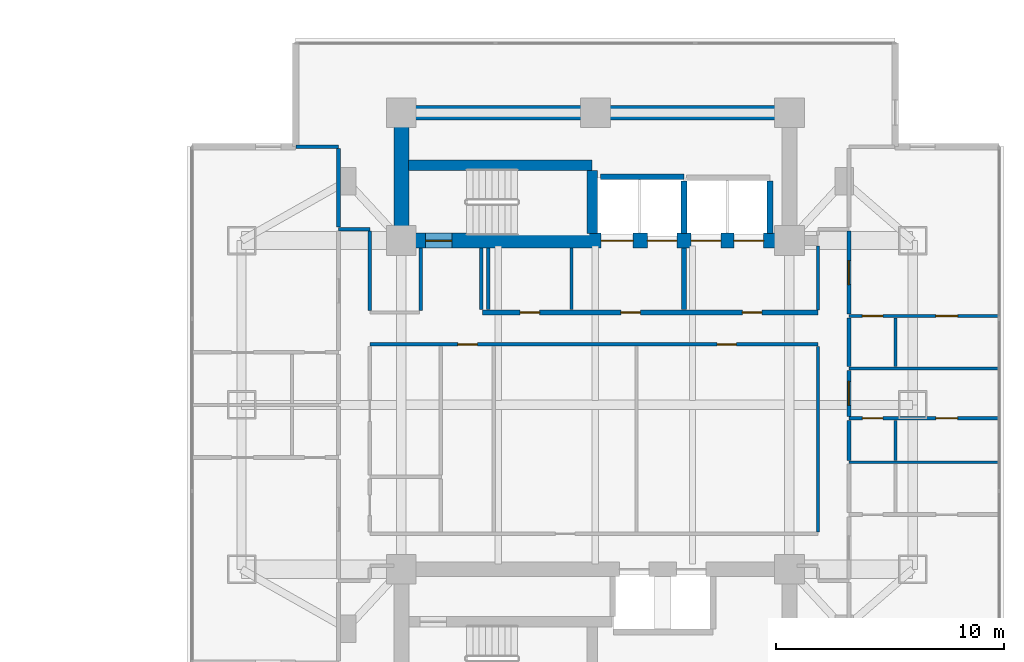
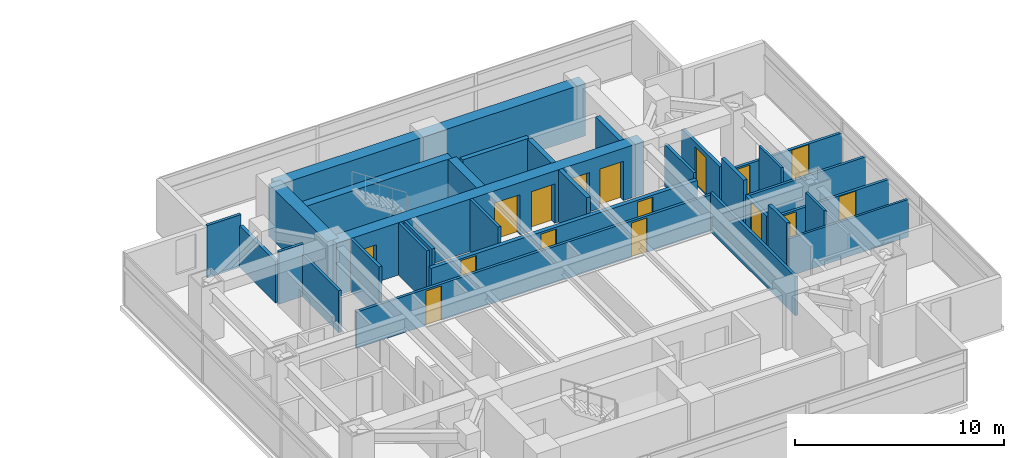
# One storey, part 18 of 27: 31 walls, 16 doors, 16 openings.
"""IFC4 building model written with IfcOpenShell, lengths in metres."""

from ifc_helpers import new_model, si_unit, direction, frame, frame_2d, origin, place, context, subcontext, project, spatial, rectangle, extrude, material, layer, layer_set, type_object, element, fill, save


model = new_model("IFC4")

# Units and contexts
model_context = context("Model", 3, precision=1e-05, world=origin(), true_north=direction((0.0, 1.0)))
body_context = subcontext(model_context, "Body", "Model", "MODEL_VIEW")
ifc_project = project(units=[si_unit("LENGTHUNIT", "METRE"), si_unit("AREAUNIT", "SQUARE_METRE"), si_unit("VOLUMEUNIT", "CUBIC_METRE"), si_unit("PLANEANGLEUNIT", "RADIAN"), si_unit("MASSUNIT", "GRAM", prefix="KILO")], contexts=[model_context])

# Site, building, storey
site_placement = place(None, origin())
site = spatial("IfcSite", under=ifc_project, at=site_placement, CompositionType="ELEMENT")
building_placement = place(site_placement, origin())
building = spatial("IfcBuilding", under=site, at=building_placement, Name="Mirazonda Arch Towers", CompositionType="ELEMENT")
storey_placement = place(building_placement, frame((0.0, 0.0, 55.39990234375)))
storey = spatial("IfcBuildingStorey", under=building, at=storey_placement, Name="L15", CompositionType="ELEMENT", Elevation=55.39990234375)

# Walls
ifc_material_1 = material(Name="Concrete C50/60", Category="concrete")
ifc_layer_1 = layer(ifc_material_1, 0.449951171875, Name="WALL-CORE-450")
ifc_layer_set_1 = layer_set([ifc_layer_1], Name="Concrete C50/60")
wall_type_1 = type_object("IfcWallType", Name="WALL-CORE-450", PredefinedType="SHEAR", material=ifc_layer_set_1)
wall_1_placement = place(storey_placement, frame((68.320068359375, 38.5, 0.0), z_axis=(0.0, 0.0, 1.0), x_axis=(1.0, 0.0, 0.0)))
element("IfcWall", 1, at=wall_1_placement, inside=storey, type_object=wall_type_1, Name="L15 Stair Core Shear Wall 056", PredefinedType="SHEAR", context=body_context, shape_type="SweptSolid", body=[
    extrude(rectangle(XDim=8.0400390625, YDim=0.449951171875, at=frame_2d((4.02001953125, 0.0))), origin(), (0.0, 0.0, 1.0), 3.06005859375),
])
wall_2_placement = place(storey_placement, frame((76.360107421875, 35.52001953125, 0.0), z_axis=(0.0, 0.0, 1.0), x_axis=(0.0, 1.0, 0.0)))
element("IfcWall", 2, at=wall_2_placement, inside=storey, type_object=wall_type_1, Name="L15 Stair Core Shear Wall 145", PredefinedType="SHEAR", context=body_context, shape_type="SweptSolid", body=[
    extrude(rectangle(XDim=2.744873046875, YDim=0.449951171875, at=frame_2d((1.37255859375, 0.0))), origin(), (0.0, 0.0, 1.0), 3.06005859375),
])
ifc_material_2 = material(Name="Concrete C60/75", Category="concrete")
ifc_layer_2 = layer(ifc_material_2, 0.64990234375, Name="WALL-CORE-650")
ifc_layer_set_2 = layer_set([ifc_layer_2], Name="Concrete C60/75")
wall_type_2 = type_object("IfcWallType", Name="WALL-CORE-650", PredefinedType="SHEAR", material=ifc_layer_set_2)
wall_3_placement = place(storey_placement, frame((68.0, 40.800048828125, 0.0), z_axis=(0.0, 0.0, 1.0), x_axis=(1.0, 0.0, 0.0)))
element("IfcWall", 3, at=wall_3_placement, inside=storey, type_object=wall_type_2, Name="L15 T2N-N Core Shear Wall", PredefinedType="SHEAR", context=body_context, shape_type="SweptSolid", body=[
    extrude(rectangle(XDim=17.0, YDim=0.64990234375, at=frame_2d((8.5, 0.0))), origin(), (0.0, 0.0, 1.0), 3.06005859375),
])
wall_4_placement = place(storey_placement, frame((68.0, 35.199951171875, 0.0), z_axis=(0.0, 0.0, 1.0), x_axis=(0.0, 1.0, 0.0)))
element("IfcWall", 4, at=wall_4_placement, inside=storey, type_object=wall_type_2, Name="L15 T2N-W Core Shear Wall", PredefinedType="SHEAR", context=body_context, shape_type="SweptSolid", body=[
    extrude(rectangle(XDim=5.60009765625, YDim=0.64990234375, at=frame_2d((2.800048828125, 0.0))), origin(), (0.0, 0.0, 1.0), 3.06005859375),
])

# Wall, openings, doors
wall_5_placement = place(storey_placement, frame((68.0, 35.199951171875, 0.0), z_axis=(0.0, 0.0, 1.0), x_axis=(1.0, 0.0, 0.0)))
wall_5 = element("IfcWall", 5, at=wall_5_placement, inside=storey, type_object=wall_type_2, Name="L15 T2N-S Core Shear Wall", PredefinedType="SHEAR", context=body_context, shape_type="SweptSolid", body=[
    extrude(rectangle(XDim=17.0, YDim=0.64990234375, at=frame_2d((8.5, 0.0))), origin(), (0.0, 0.0, 1.0), 3.06005859375),
])
opening_1_placement = place(wall_5_placement, frame((1.06005859375, 0.0, 0.0)))
opening_1 = element("IfcOpeningElement", 6, at=opening_1_placement, cuts=wall_5, Name="Opening DR-135", PredefinedType="OPENING", context=body_context, shape_type="SweptSolid", body=[
    extrude(rectangle(XDim=1.14990234375, YDim=2.199951171875, at=frame_2d((0.574951171875, 1.10009765625))), frame((0.0, 0.3349609375, 0.0), z_axis=(0.0, -1.0, 0.0), x_axis=(1.0, 0.0, 0.0)), (0.0, 0.0, 1.0), 0.669921875),
])
opening_2_placement = place(wall_5_placement, frame((8.75, 0.0, 0.0)))
opening_2 = element("IfcOpeningElement", 7, at=opening_2_placement, cuts=wall_5, Name="Opening LD-112", PredefinedType="OPENING", context=body_context, shape_type="SweptSolid", body=[
    extrude(rectangle(XDim=1.39990234375, YDim=2.35009765625, at=frame_2d((0.699951171875, 1.175048828125))), frame((0.0, 0.3349609375, 0.0), z_axis=(0.0, -1.0, 0.0), x_axis=(1.0, 0.0, 0.0)), (0.0, 0.0, 1.0), 0.669921875),
])
opening_3_placement = place(wall_5_placement, frame((10.77001953125, 0.0, 0.0)))
opening_3 = element("IfcOpeningElement", 8, at=opening_3_placement, cuts=wall_5, Name="Opening LD-111", PredefinedType="OPENING", context=body_context, shape_type="SweptSolid", body=[
    extrude(rectangle(XDim=1.300048828125, YDim=2.300048828125, at=frame_2d((0.64990234375, 1.14990234375))), frame((0.0, 0.3349609375, 0.0), z_axis=(0.0, -1.0, 0.0), x_axis=(1.0, 0.0, 0.0)), (0.0, 0.0, 1.0), 0.669921875),
])
opening_4_placement = place(wall_5_placement, frame((12.68994140625, 0.0, 0.0)))
opening_4 = element("IfcOpeningElement", 9, at=opening_4_placement, cuts=wall_5, Name="Opening LD-111", PredefinedType="OPENING", context=body_context, shape_type="SweptSolid", body=[
    extrude(rectangle(XDim=1.300048828125, YDim=2.300048828125, at=frame_2d((0.64990234375, 1.14990234375))), frame((0.0, 0.3349609375, 0.0), z_axis=(0.0, -1.0, 0.0), x_axis=(1.0, 0.0, 0.0)), (0.0, 0.0, 1.0), 0.669921875),
])
opening_5_placement = place(wall_5_placement, frame((14.570068359375, 0.0, 0.0)))
opening_5 = element("IfcOpeningElement", 10, at=opening_5_placement, cuts=wall_5, Name="Opening LD-111", PredefinedType="OPENING", context=body_context, shape_type="SweptSolid", body=[
    extrude(rectangle(XDim=1.300048828125, YDim=2.300048828125, at=frame_2d((0.64990234375, 1.14990234375))), frame((0.0, 0.3349609375, 0.0), z_axis=(0.0, -1.0, 0.0), x_axis=(1.0, 0.0, 0.0)), (0.0, 0.0, 1.0), 0.669921875),
])
ifc_material_3 = material(Name="Architectural Brushed Steel S355", Category="steel")
door_type_1 = type_object("IfcDoorType", Name="DOOR-LIFT-FFL-1400", OperationType="NOTDEFINED", PredefinedType="DOOR", material=ifc_material_3)
door_1_placement = place(opening_2_placement, origin())
door_1 = element("IfcDoor", 11, at=door_1_placement, inside=storey, type_object=door_type_1, Name="L15 Lift Landing Sliding Door FFL-T2", OperationType="DOUBLE_DOOR_SLIDING", OverallHeight=2.35009765625, OverallWidth=1.39990234375, PredefinedType="DOOR", context=body_context, shape_type="SweptSolid", body=[
    extrude(rectangle(XDim=1.39990234375, YDim=2.35009765625, at=frame_2d((0.699951171875, 1.175048828125))), frame((0.0, 0.02490234375, 0.0), z_axis=(0.0, -1.0, 0.0), x_axis=(1.0, 0.0, 0.0)), (0.0, 0.0, 1.0), 0.050048828125),
])
fill(opening_2, door_1)
door_type_2 = type_object("IfcDoorType", Name="DOOR-LIFT-LAND-1300", OperationType="NOTDEFINED", PredefinedType="DOOR", material=ifc_material_3)
door_2_placement = place(opening_3_placement, origin())
door_2 = element("IfcDoor", 12, at=door_2_placement, inside=storey, type_object=door_type_2, Name="L15 Lift Landing Sliding Door SVL-T2", OperationType="DOUBLE_DOOR_SLIDING", OverallHeight=2.300048828125, OverallWidth=1.300048828125, PredefinedType="DOOR", context=body_context, shape_type="SweptSolid", body=[
    extrude(rectangle(XDim=1.300048828125, YDim=2.300048828125, at=frame_2d((0.64990234375, 1.14990234375))), frame((0.0, 0.02490234375, 0.0), z_axis=(0.0, -1.0, 0.0), x_axis=(1.0, 0.0, 0.0)), (0.0, 0.0, 1.0), 0.050048828125),
])
fill(opening_3, door_2)
door_3_placement = place(opening_4_placement, origin())
door_3 = element("IfcDoor", 13, at=door_3_placement, inside=storey, type_object=door_type_2, Name="L15 Lift Landing Sliding Door PL-T2L1", OperationType="DOUBLE_DOOR_SLIDING", OverallHeight=2.300048828125, OverallWidth=1.300048828125, PredefinedType="DOOR", context=body_context, shape_type="SweptSolid", body=[
    extrude(rectangle(XDim=1.300048828125, YDim=2.300048828125, at=frame_2d((0.64990234375, 1.14990234375))), frame((0.0, 0.02490234375, 0.0), z_axis=(0.0, -1.0, 0.0), x_axis=(1.0, 0.0, 0.0)), (0.0, 0.0, 1.0), 0.050048828125),
])
fill(opening_4, door_3)
door_4_placement = place(opening_5_placement, origin())
door_4 = element("IfcDoor", 14, at=door_4_placement, inside=storey, type_object=door_type_2, Name="L15 Lift Landing Sliding Door PL-T2L2", OperationType="DOUBLE_DOOR_SLIDING", OverallHeight=2.300048828125, OverallWidth=1.300048828125, PredefinedType="DOOR", context=body_context, shape_type="SweptSolid", body=[
    extrude(rectangle(XDim=1.300048828125, YDim=2.300048828125, at=frame_2d((0.64990234375, 1.14990234375))), frame((0.0, 0.02490234375, 0.0), z_axis=(0.0, -1.0, 0.0), x_axis=(1.0, 0.0, 0.0)), (0.0, 0.0, 1.0), 0.050048828125),
])
fill(opening_5, door_4)
door_type_3 = type_object("IfcDoorType", Name="DOOR-STAIR-FD90-1150", OperationType="NOTDEFINED", PredefinedType="DOOR", material=ifc_material_3)
door_5_placement = place(opening_1_placement, origin())
door_5 = element("IfcDoor", 15, at=door_5_placement, inside=storey, type_object=door_type_3, Name="L15 East Protected Stair North Door", OperationType="SINGLE_SWING_RIGHT", OverallHeight=2.199951171875, OverallWidth=1.14990234375, PredefinedType="DOOR", context=body_context, shape_type="SweptSolid", body=[
    extrude(rectangle(XDim=1.14990234375, YDim=2.199951171875, at=frame_2d((0.574951171875, 1.10009765625))), frame((0.0, 0.02490234375, 0.0), z_axis=(0.0, -1.0, 0.0), x_axis=(1.0, 0.0, 0.0)), (0.0, 0.0, 1.0), 0.050048828125),
])
fill(opening_1, door_5)

ifc_material_4 = material(Name="Concrete C40/50", Category="concrete")
ifc_layer_3 = layer(ifc_material_4, 0.219970703125, Name="WALL-FFL-220")
ifc_layer_set_3 = layer_set([ifc_layer_3], Name="Concrete C40/50")
wall_type_3 = type_object("IfcWallType", Name="WALL-FFL-220", PredefinedType="SOLIDWALL", material=ifc_layer_set_3)
wall_6_placement = place(storey_placement, frame((71.550048828125, 32.050048828125, 0.0), z_axis=(0.0, 0.0, 1.0), x_axis=(1.0, 0.0, 0.0)))
wall_6 = element("IfcWall", 16, at=wall_6_placement, inside=storey, type_object=wall_type_3, Name="L15 Interior Partition 044", PredefinedType="SOLIDWALL", context=body_context, shape_type="SweptSolid", body=[
    extrude(rectangle(XDim=14.699951171875, YDim=0.219970703125, at=frame_2d((7.35009765625, 0.0))), origin(), (0.0, 0.0, 1.0), 2.125),
])
opening_6_placement = place(wall_6_placement, frame((11.389892578125, 0.0, 0.0)))
opening_6 = element("IfcOpeningElement", 17, at=opening_6_placement, cuts=wall_6, Name="Opening DR-128", PredefinedType="OPENING", context=body_context, shape_type="SweptSolid", body=[
    extrude(rectangle(XDim=0.85009765625, YDim=2.010009765625, at=frame_2d((0.425048828125, 1.0048828125))), frame((0.0, 0.119873046875, 0.0), z_axis=(0.0, -1.0, 0.0), x_axis=(1.0, 0.0, 0.0)), (0.0, 0.0, 1.0), 0.239990234375),
])
opening_7_placement = place(wall_6_placement, frame((6.06494140625, 0.0, 0.0)))
opening_7 = element("IfcOpeningElement", 18, at=opening_7_placement, cuts=wall_6, Name="Opening DR-128", PredefinedType="OPENING", context=body_context, shape_type="SweptSolid", body=[
    extrude(rectangle(XDim=0.85009765625, YDim=2.010009765625, at=frame_2d((0.425048828125, 1.0048828125))), frame((0.0, 0.119873046875, 0.0), z_axis=(0.0, -1.0, 0.0), x_axis=(1.0, 0.0, 0.0)), (0.0, 0.0, 1.0), 0.239990234375),
])
opening_8_placement = place(wall_6_placement, frame((1.64990234375, 0.0, 0.0)))
opening_8 = element("IfcOpeningElement", 19, at=opening_8_placement, cuts=wall_6, Name="Opening DR-128", PredefinedType="OPENING", context=body_context, shape_type="SweptSolid", body=[
    extrude(rectangle(XDim=0.85009765625, YDim=2.010009765625, at=frame_2d((0.425048828125, 1.0048828125))), frame((0.0, 0.119873046875, 0.0), z_axis=(0.0, -1.0, 0.0), x_axis=(1.0, 0.0, 0.0)), (0.0, 0.0, 1.0), 0.239990234375),
])
door_type_4 = type_object("IfcDoorType", Name="DOOR-RISER-FD60-850", OperationType="NOTDEFINED", PredefinedType="DOOR", material=ifc_material_3)
door_6_placement = place(opening_6_placement, origin())
door_6 = element("IfcDoor", 20, at=door_6_placement, inside=storey, type_object=door_type_4, Name="L15 East Passenger Lift Lobby Door", OperationType="SINGLE_SWING_LEFT", OverallHeight=2.010009765625, OverallWidth=0.85009765625, PredefinedType="DOOR", context=body_context, shape_type="SweptSolid", body=[
    extrude(rectangle(XDim=0.85009765625, YDim=2.010009765625, at=frame_2d((0.425048828125, 1.0048828125))), frame((0.0, 0.02490234375, 0.0), z_axis=(0.0, -1.0, 0.0), x_axis=(1.0, 0.0, 0.0)), (0.0, 0.0, 1.0), 0.050048828125),
])
fill(opening_6, door_6)
door_7_placement = place(opening_7_placement, origin())
door_7 = element("IfcDoor", 21, at=door_7_placement, inside=storey, type_object=door_type_4, Name="L15 East Firefighting Lift Lobby Door", OperationType="SINGLE_SWING_LEFT", OverallHeight=2.010009765625, OverallWidth=0.85009765625, PredefinedType="DOOR", context=body_context, shape_type="SweptSolid", body=[
    extrude(rectangle(XDim=0.85009765625, YDim=2.010009765625, at=frame_2d((0.425048828125, 1.0048828125))), frame((0.0, 0.02490234375, 0.0), z_axis=(0.0, -1.0, 0.0), x_axis=(1.0, 0.0, 0.0)), (0.0, 0.0, 1.0), 0.050048828125),
])
fill(opening_7, door_7)
door_8_placement = place(opening_8_placement, origin())
door_8 = element("IfcDoor", 22, at=door_8_placement, inside=storey, type_object=door_type_4, Name="L15 Tower 2 Housekeeping & Linen Room Door", OperationType="SINGLE_SWING_RIGHT", OverallHeight=2.010009765625, OverallWidth=0.85009765625, PredefinedType="DOOR", context=body_context, shape_type="SweptSolid", body=[
    extrude(rectangle(XDim=0.85009765625, YDim=2.010009765625, at=frame_2d((0.425048828125, 1.0048828125))), frame((0.0, 0.02490234375, 0.0), z_axis=(0.0, -1.0, 0.0), x_axis=(1.0, 0.0, 0.0)), (0.0, 0.0, 1.0), 0.050048828125),
])
fill(opening_8, door_8)

# Wall
wall_7_placement = place(storey_placement, frame((80.3798828125, 32.169921875, 0.0), z_axis=(0.0, 0.0, 1.0), x_axis=(0.0, 1.0, 0.0)))
element("IfcWall", 23, at=wall_7_placement, inside=storey, type_object=wall_type_3, Name="L15 Interior Partition 148", PredefinedType="SOLIDWALL", context=body_context, shape_type="SweptSolid", body=[
    extrude(rectangle(XDim=2.7099609375, YDim=0.219970703125, at=frame_2d((1.35498046875, 0.0))), origin(), (0.0, 0.0, 1.0), 3.06005859375),
])

# Wall, openings, doors
ifc_material_5 = material(Name="Fire-Rated Gypsum Stud Partition")
ifc_layer_4 = layer(ifc_material_5, 0.14990234375, Name="WALL-PART-CORR-150")
ifc_layer_set_4 = layer_set([ifc_layer_4], Name="Fire-Rated Gypsum Stud Partition")
wall_type_4 = type_object("IfcWallType", Name="WALL-PART-CORR-150", PredefinedType="PARTITIONING", material=ifc_layer_set_4)
wall_8_placement = place(storey_placement, frame((87.60009765625, 27.412109375, 0.0), z_axis=(0.0, 0.0, 1.0), x_axis=(1.0, 0.0, 0.0)))
wall_8 = element("IfcWall", 24, at=wall_8_placement, inside=storey, type_object=wall_type_4, Name="L15 Interior Partition 032", PredefinedType="PARTITIONING", context=body_context, shape_type="SweptSolid", body=[
    extrude(rectangle(XDim=6.577880859375, YDim=0.14990234375, at=frame_2d((3.2890625, 0.0))), origin(), (0.0, 0.0, 1.0), 2.196044921875),
])
opening_9_placement = place(wall_8_placement, frame((3.81396484375, 0.0, 0.0)))
opening_9 = element("IfcOpeningElement", 25, at=opening_9_placement, cuts=wall_8, Name="Opening DR-104", PredefinedType="OPENING", context=body_context, shape_type="SweptSolid", body=[
    extrude(rectangle(XDim=0.949951171875, YDim=2.14990234375, at=frame_2d((0.47509765625, 1.074951171875))), frame((0.0, 0.0849609375, 0.0), z_axis=(0.0, -1.0, 0.0), x_axis=(1.0, 0.0, 0.0)), (0.0, 0.0, 1.0), 0.169921875),
])
opening_10_placement = place(wall_8_placement, frame((0.590087890625, 0.0, 0.0)))
opening_10 = element("IfcOpeningElement", 26, at=opening_10_placement, cuts=wall_8, Name="Opening DR-120", PredefinedType="OPENING", context=body_context, shape_type="SweptSolid", body=[
    extrude(rectangle(XDim=0.89990234375, YDim=2.10009765625, at=frame_2d((0.449951171875, 1.050048828125))), frame((0.0, 0.0849609375, 0.0), z_axis=(0.0, -1.0, 0.0), x_axis=(1.0, 0.0, 0.0)), (0.0, 0.0, 1.0), 0.169921875),
])
door_type_5 = type_object("IfcDoorType", Name="DOOR-ROOM-950", OperationType="NOTDEFINED", PredefinedType="DOOR", material=ifc_material_3)
door_9_placement = place(opening_9_placement, origin())
door_9 = element("IfcDoor", 27, at=door_9_placement, inside=storey, type_object=door_type_5, Name="L15 Studio 2 Galley Kitchen Door", OperationType="SINGLE_SWING_LEFT", OverallHeight=2.14990234375, OverallWidth=0.949951171875, PredefinedType="DOOR", context=body_context, shape_type="SweptSolid", body=[
    extrude(rectangle(XDim=0.949951171875, YDim=2.14990234375, at=frame_2d((0.47509765625, 1.074951171875))), frame((0.0, 0.02490234375, 0.0), z_axis=(0.0, -1.0, 0.0), x_axis=(1.0, 0.0, 0.0)), (0.0, 0.0, 1.0), 0.050048828125),
])
fill(opening_9, door_9)
door_type_6 = type_object("IfcDoorType", Name="DOOR-WC-900", OperationType="NOTDEFINED", PredefinedType="DOOR", material=ifc_material_3)
door_10_placement = place(opening_10_placement, origin())
door_10 = element("IfcDoor", 28, at=door_10_placement, inside=storey, type_object=door_type_6, Name="L15 Studio 2 Bathroom Door", OperationType="SINGLE_SWING_RIGHT", OverallHeight=2.10009765625, OverallWidth=0.89990234375, PredefinedType="DOOR", context=body_context, shape_type="SweptSolid", body=[
    extrude(rectangle(XDim=0.89990234375, YDim=2.10009765625, at=frame_2d((0.449951171875, 1.050048828125))), frame((0.0, 0.02490234375, 0.0), z_axis=(0.0, -1.0, 0.0), x_axis=(1.0, 0.0, 0.0)), (0.0, 0.0, 1.0), 0.050048828125),
])
fill(opening_10, door_10)

# Wall
wall_9_placement = place(storey_placement, frame((87.60009765625, 29.595947265625, 0.0), z_axis=(0.0, 0.0, 1.0), x_axis=(1.0, 0.0, 0.0)))
element("IfcWall", 29, at=wall_9_placement, inside=storey, type_object=wall_type_4, Name="L15 Interior Partition 036", PredefinedType="PARTITIONING", context=body_context, shape_type="SweptSolid", body=[
    extrude(rectangle(XDim=6.577880859375, YDim=0.14990234375, at=frame_2d((3.2890625, 0.0))), origin(), (0.0, 0.0, 1.0), 2.196044921875),
])

# Wall, openings, doors
wall_10_placement = place(storey_placement, frame((66.6201171875, 30.64990234375, 0.0), z_axis=(0.0, 0.0, 1.0), x_axis=(1.0, 0.0, 0.0)))
wall_10 = element("IfcWall", 30, at=wall_10_placement, inside=storey, type_object=wall_type_4, Name="L15 Interior Partition 039", PredefinedType="PARTITIONING", context=body_context, shape_type="SweptSolid", body=[
    extrude(rectangle(XDim=19.6298828125, YDim=0.14990234375, at=frame_2d((9.81494140625, 0.0))), origin(), (0.0, 0.0, 1.0), 2.125),
])
opening_11_placement = place(wall_10_placement, frame((3.85498046875, 0.0, 0.0)))
opening_11 = element("IfcOpeningElement", 31, at=opening_11_placement, cuts=wall_10, Name="Opening DR-128", PredefinedType="OPENING", context=body_context, shape_type="SweptSolid", body=[
    extrude(rectangle(XDim=0.85009765625, YDim=2.010009765625, at=frame_2d((0.425048828125, 1.0048828125))), frame((0.0, 0.0849609375, 0.0), z_axis=(0.0, -1.0, 0.0), x_axis=(1.0, 0.0, 0.0)), (0.0, 0.0, 1.0), 0.169921875),
])
opening_12_placement = place(wall_10_placement, frame((15.208984375, 0.0, 0.0)))
opening_12 = element("IfcOpeningElement", 32, at=opening_12_placement, cuts=wall_10, Name="Opening DR-128", PredefinedType="OPENING", context=body_context, shape_type="SweptSolid", body=[
    extrude(rectangle(XDim=0.85009765625, YDim=2.010009765625, at=frame_2d((0.425048828125, 1.0048828125))), frame((0.0, 0.0849609375, 0.0), z_axis=(0.0, -1.0, 0.0), x_axis=(1.0, 0.0, 0.0)), (0.0, 0.0, 1.0), 0.169921875),
])
door_11_placement = place(opening_11_placement, origin())
door_11 = element("IfcDoor", 33, at=door_11_placement, inside=storey, type_object=door_type_4, Name="L15 L15 East Courtyard Study Door", OperationType="SINGLE_SWING_LEFT", OverallHeight=2.010009765625, OverallWidth=0.85009765625, PredefinedType="DOOR", context=body_context, shape_type="SweptSolid", body=[
    extrude(rectangle(XDim=0.85009765625, YDim=2.010009765625, at=frame_2d((0.425048828125, 1.0048828125))), frame((0.0, 0.02490234375, 0.0), z_axis=(0.0, -1.0, 0.0), x_axis=(1.0, 0.0, 0.0)), (0.0, 0.0, 1.0), 0.050048828125),
])
fill(opening_11, door_11)
door_12_placement = place(opening_12_placement, origin())
door_12 = element("IfcDoor", 34, at=door_12_placement, inside=storey, type_object=door_type_4, Name="L15 Chamber Music & Screening Salon Door", OperationType="SINGLE_SWING_LEFT", OverallHeight=2.010009765625, OverallWidth=0.85009765625, PredefinedType="DOOR", context=body_context, shape_type="SweptSolid", body=[
    extrude(rectangle(XDim=0.85009765625, YDim=2.010009765625, at=frame_2d((0.425048828125, 1.0048828125))), frame((0.0, 0.02490234375, 0.0), z_axis=(0.0, -1.0, 0.0), x_axis=(1.0, 0.0, 0.0)), (0.0, 0.0, 1.0), 0.050048828125),
])
fill(opening_12, door_12)

wall_11_placement = place(storey_placement, frame((87.60009765625, 31.89599609375, 0.0), z_axis=(0.0, 0.0, 1.0), x_axis=(1.0, 0.0, 0.0)))
wall_11 = element("IfcWall", 35, at=wall_11_placement, inside=storey, type_object=wall_type_4, Name="L15 Interior Partition 041", PredefinedType="PARTITIONING", context=body_context, shape_type="SweptSolid", body=[
    extrude(rectangle(XDim=6.577880859375, YDim=0.14990234375, at=frame_2d((3.2890625, 0.0))), origin(), (0.0, 0.0, 1.0), 2.196044921875),
])
opening_13_placement = place(wall_11_placement, frame((3.81396484375, 0.0, 0.0)))
opening_13 = element("IfcOpeningElement", 36, at=opening_13_placement, cuts=wall_11, Name="Opening DR-104", PredefinedType="OPENING", context=body_context, shape_type="SweptSolid", body=[
    extrude(rectangle(XDim=0.949951171875, YDim=2.14990234375, at=frame_2d((0.47509765625, 1.074951171875))), frame((0.0, 0.0849609375, 0.0), z_axis=(0.0, -1.0, 0.0), x_axis=(1.0, 0.0, 0.0)), (0.0, 0.0, 1.0), 0.169921875),
])
opening_14_placement = place(wall_11_placement, frame((0.590087890625, 0.0, 0.0)))
opening_14 = element("IfcOpeningElement", 37, at=opening_14_placement, cuts=wall_11, Name="Opening DR-120", PredefinedType="OPENING", context=body_context, shape_type="SweptSolid", body=[
    extrude(rectangle(XDim=0.89990234375, YDim=2.10009765625, at=frame_2d((0.449951171875, 1.050048828125))), frame((0.0, 0.0849609375, 0.0), z_axis=(0.0, -1.0, 0.0), x_axis=(1.0, 0.0, 0.0)), (0.0, 0.0, 1.0), 0.169921875),
])
door_13_placement = place(opening_13_placement, origin())
door_13 = element("IfcDoor", 38, at=door_13_placement, inside=storey, type_object=door_type_5, Name="L15 Studio 3 Galley Kitchen Door", OperationType="SINGLE_SWING_RIGHT", OverallHeight=2.14990234375, OverallWidth=0.949951171875, PredefinedType="DOOR", context=body_context, shape_type="SweptSolid", body=[
    extrude(rectangle(XDim=0.949951171875, YDim=2.14990234375, at=frame_2d((0.47509765625, 1.074951171875))), frame((0.0, 0.02490234375, 0.0), z_axis=(0.0, -1.0, 0.0), x_axis=(1.0, 0.0, 0.0)), (0.0, 0.0, 1.0), 0.050048828125),
])
fill(opening_13, door_13)
door_14_placement = place(opening_14_placement, origin())
door_14 = element("IfcDoor", 39, at=door_14_placement, inside=storey, type_object=door_type_6, Name="L15 Studio 3 Bathroom Door", OperationType="SINGLE_SWING_LEFT", OverallHeight=2.10009765625, OverallWidth=0.89990234375, PredefinedType="DOOR", context=body_context, shape_type="SweptSolid", body=[
    extrude(rectangle(XDim=0.89990234375, YDim=2.10009765625, at=frame_2d((0.449951171875, 1.050048828125))), frame((0.0, 0.02490234375, 0.0), z_axis=(0.0, -1.0, 0.0), x_axis=(1.0, 0.0, 0.0)), (0.0, 0.0, 1.0), 0.050048828125),
])
fill(opening_14, door_14)

# Walls
wall_12_placement = place(storey_placement, frame((65.25, 35.699951171875, 0.0), z_axis=(0.0, 0.0, 1.0), x_axis=(1.0, 0.0, 0.0)))
element("IfcWall", 40, at=wall_12_placement, inside=storey, type_object=wall_type_4, Name="L15 Interior Partition 051", PredefinedType="PARTITIONING", context=body_context, shape_type="SweptSolid", body=[
    extrude(rectangle(XDim=1.3701171875, YDim=0.14990234375, at=frame_2d((0.68505859375, 0.0))), origin(), (0.0, 0.0, 1.0), 3.06005859375),
])
wall_13_placement = place(storey_placement, frame((63.387939453125, 39.31298828125, 0.0), z_axis=(0.0, 0.0, 1.0), x_axis=(1.0, 0.0, 0.0)))
element("IfcWall", 41, at=wall_13_placement, inside=storey, type_object=wall_type_4, Name="L15 Interior Partition 057", PredefinedType="PARTITIONING", context=body_context, shape_type="SweptSolid", body=[
    extrude(rectangle(XDim=1.862060546875, YDim=0.14990234375, at=frame_2d((0.93115234375, 0.0))), origin(), (0.0, 0.0, 1.0), 3.06005859375),
])
wall_14_placement = place(storey_placement, frame((66.6201171875, 32.135009765625, 0.0), z_axis=(0.0, 0.0, 1.0), x_axis=(0.0, 1.0, 0.0)))
element("IfcWall", 42, at=wall_14_placement, inside=storey, type_object=wall_type_4, Name="L15 Interior Partition 136", PredefinedType="PARTITIONING", context=body_context, shape_type="SweptSolid", body=[
    extrude(rectangle(XDim=3.47998046875, YDim=0.14990234375, at=frame_2d((1.739990234375, 0.0))), origin(), (0.0, 0.0, 1.0), 2.4521484375),
])
wall_15_placement = place(storey_placement, frame((68.85009765625, 32.135009765625, 0.0), z_axis=(0.0, 0.0, 1.0), x_axis=(0.0, 1.0, 0.0)))
element("IfcWall", 43, at=wall_15_placement, inside=storey, type_object=wall_type_4, Name="L15 Interior Partition 137", PredefinedType="PARTITIONING", context=body_context, shape_type="SweptSolid", body=[
    extrude(rectangle(XDim=2.744873046875, YDim=0.14990234375, at=frame_2d((1.37255859375, 0.0))), origin(), (0.0, 0.0, 1.0), 3.06005859375),
])
for number, where, z_axis, x_axis, name in (
    (44, (71.5, 32.169921875, 0.0), (0.0, 0.0, 1.0), (0.0, 1.0, 0.0), "L15 Interior Partition 140"),
    (45, (71.800048828125, 32.169921875, 0.0), (0.0, 0.0, 1.0), (0.0, 1.0, 0.0), "L15 Interior Partition 141"),
    (46, (75.449951171875, 32.169921875, 0.0), (0.0, 0.0, 1.0), (0.0, 1.0, 0.0), "L15 Interior Partition 143"),
):
    element("IfcWall", number, at=place(storey_placement, frame(where, z_axis=z_axis, x_axis=x_axis)), inside=storey, type_object=wall_type_4, Name=name, PredefinedType="PARTITIONING", context=body_context, shape_type="SweptSolid", body=[
        extrude(rectangle(XDim=2.7099609375, YDim=0.14990234375, at=frame_2d((1.35498046875, 0.0))), origin(), (0.0, 0.0, 1.0), 3.06005859375),
    ])
wall_16_placement = place(storey_placement, frame((86.25, 22.43505859375, 0.0), z_axis=(0.0, 0.0, 1.0), x_axis=(0.0, 1.0, 0.0)))
element("IfcWall", 47, at=wall_16_placement, inside=storey, type_object=wall_type_4, Name="L15 Interior Partition 153", PredefinedType="PARTITIONING", context=body_context, shape_type="SweptSolid", body=[
    extrude(rectangle(XDim=8.1298828125, YDim=0.14990234375, at=frame_2d((4.06494140625, 0.0))), origin(), (0.0, 0.0, 1.0), 2.279052734375),
])
wall_17_placement = place(storey_placement, frame((86.25, 32.169921875, 0.0), z_axis=(0.0, 0.0, 1.0), x_axis=(0.0, 1.0, 0.0)))
element("IfcWall", 48, at=wall_17_placement, inside=storey, type_object=wall_type_4, Name="L15 Interior Partition 154", PredefinedType="PARTITIONING", context=body_context, shape_type="SweptSolid", body=[
    extrude(rectangle(XDim=2.795166015625, YDim=0.14990234375, at=frame_2d((1.3974609375, 0.0))), origin(), (0.0, 0.0, 1.0), 2.4521484375),
])
ifc_material_6 = material(Name="Fire-Rated Gypsum Twin-Stud Assembly")
ifc_layer_5 = layer(ifc_material_6, 0.179931640625, Name="WALL-PART-DEMISE-180")
ifc_layer_set_5 = layer_set([ifc_layer_5], Name="Fire-Rated Gypsum Twin-Stud Assembly")
wall_type_5 = type_object("IfcWallType", Name="WALL-PART-DEMISE-180", PredefinedType="PARTITIONING", material=ifc_layer_set_5)
wall_18_placement = place(storey_placement, frame((65.25, 35.784912109375, 0.0), z_axis=(0.0, 0.0, 1.0), x_axis=(0.0, 1.0, 0.0)))
element("IfcWall", 49, at=wall_18_placement, inside=storey, type_object=wall_type_5, Name="L15 Interior Partition 132", PredefinedType="PARTITIONING", context=body_context, shape_type="SweptSolid", body=[
    extrude(rectangle(XDim=3.443115234375, YDim=0.179931640625, at=frame_2d((1.7216796875, 0.0))), origin(), (0.0, 0.0, 1.0), 2.43603515625),
])
wall_19_placement = place(storey_placement, frame((87.60009765625, 25.564453125, 0.0), z_axis=(0.0, 0.0, 1.0), x_axis=(0.0, 1.0, 0.0)))
element("IfcWall", 50, at=wall_19_placement, inside=storey, type_object=wall_type_5, Name="L15 Interior Partition 159", PredefinedType="PARTITIONING", context=body_context, shape_type="SweptSolid", body=[
    extrude(rectangle(XDim=1.762451171875, YDim=0.179931640625, at=frame_2d((0.88134765625, 0.0))), origin(), (0.0, 0.0, 1.0), 3.06005859375),
])

# Wall, opening, door
wall_20_placement = place(storey_placement, frame((87.60009765625, 27.4970703125, 0.0), z_axis=(0.0, 0.0, 1.0), x_axis=(0.0, 1.0, 0.0)))
wall_20 = element("IfcWall", 51, at=wall_20_placement, inside=storey, type_object=wall_type_5, Name="L15 Interior Partition 160", PredefinedType="PARTITIONING", context=body_context, shape_type="SweptSolid", body=[
    extrude(rectangle(XDim=2.013916015625, YDim=0.179931640625, at=frame_2d((1.0068359375, 0.0))), origin(), (0.0, 0.0, 1.0), 2.279052734375),
])
opening_15_placement = place(wall_20_placement, frame((0.48193359375, 0.0, 0.0)))
opening_15 = element("IfcOpeningElement", 52, at=opening_15_placement, cuts=wall_20, Name="Opening DR-121", PredefinedType="OPENING", context=body_context, shape_type="SweptSolid", body=[
    extrude(rectangle(XDim=1.050048828125, YDim=2.199951171875, at=frame_2d((0.52490234375, 1.10009765625))), frame((0.0, 0.099853515625, 0.0), z_axis=(0.0, -1.0, 0.0), x_axis=(1.0, 0.0, 0.0)), (0.0, 0.0, 1.0), 0.199951171875),
])
door_type_7 = type_object("IfcDoorType", Name="DOOR-SUITE-FD60-1050", OperationType="NOTDEFINED", PredefinedType="DOOR", material=ifc_material_3)
door_15_placement = place(opening_15_placement, origin())
door_15 = element("IfcDoor", 53, at=door_15_placement, inside=storey, type_object=door_type_7, Name="L15 Studio Apartment 2 Living Salon Door", OperationType="SINGLE_SWING_RIGHT", OverallHeight=2.199951171875, OverallWidth=1.050048828125, PredefinedType="DOOR", context=body_context, shape_type="SweptSolid", body=[
    extrude(rectangle(XDim=1.050048828125, YDim=2.199951171875, at=frame_2d((0.52490234375, 1.10009765625))), frame((0.0, 0.02490234375, 0.0), z_axis=(0.0, -1.0, 0.0), x_axis=(1.0, 0.0, 0.0)), (0.0, 0.0, 1.0), 0.050048828125),
])
fill(opening_15, door_15)

# Wall
wall_21_placement = place(storey_placement, frame((87.60009765625, 29.680908203125, 0.0), z_axis=(0.0, 0.0, 1.0), x_axis=(0.0, 1.0, 0.0)))
element("IfcWall", 54, at=wall_21_placement, inside=storey, type_object=wall_type_5, Name="L15 Interior Partition 161", PredefinedType="PARTITIONING", context=body_context, shape_type="SweptSolid", body=[
    extrude(rectangle(XDim=2.130126953125, YDim=0.179931640625, at=frame_2d((1.06494140625, 0.0))), origin(), (0.0, 0.0, 1.0), 3.06005859375),
])

# Wall, opening, door
wall_22_placement = place(storey_placement, frame((87.60009765625, 31.98095703125, 0.0), z_axis=(0.0, 0.0, 1.0), x_axis=(0.0, 1.0, 0.0)))
wall_22 = element("IfcWall", 55, at=wall_22_placement, inside=storey, type_object=wall_type_5, Name="L15 Interior Partition 162", PredefinedType="PARTITIONING", context=body_context, shape_type="SweptSolid", body=[
    extrude(rectangle(XDim=3.634033203125, YDim=0.179931640625, at=frame_2d((1.81689453125, 0.0))), origin(), (0.0, 0.0, 1.0), 2.4521484375),
])
opening_16_placement = place(wall_22_placement, frame((1.2919921875, 0.0, 0.0)))
opening_16 = element("IfcOpeningElement", 56, at=opening_16_placement, cuts=wall_22, Name="Opening DR-121", PredefinedType="OPENING", context=body_context, shape_type="SweptSolid", body=[
    extrude(rectangle(XDim=1.050048828125, YDim=2.199951171875, at=frame_2d((0.52490234375, 1.10009765625))), frame((0.0, 0.099853515625, 0.0), z_axis=(0.0, -1.0, 0.0), x_axis=(1.0, 0.0, 0.0)), (0.0, 0.0, 1.0), 0.199951171875),
])
door_16_placement = place(opening_16_placement, origin())
door_16 = element("IfcDoor", 57, at=door_16_placement, inside=storey, type_object=door_type_7, Name="L15 Studio Apartment 3 Living Salon Door", OperationType="SINGLE_SWING_LEFT", OverallHeight=2.199951171875, OverallWidth=1.050048828125, PredefinedType="DOOR", context=body_context, shape_type="SweptSolid", body=[
    extrude(rectangle(XDim=1.050048828125, YDim=2.199951171875, at=frame_2d((0.52490234375, 1.10009765625))), frame((0.0, 0.02490234375, 0.0), z_axis=(0.0, -1.0, 0.0), x_axis=(1.0, 0.0, 0.0)), (0.0, 0.0, 1.0), 0.050048828125),
])
fill(opening_16, door_16)

# Walls
ifc_material_7 = material(Name="Acoustic Fire-Rated Gypsum Partition")
ifc_layer_6 = layer(ifc_material_7, 0.125, Name="WALL-PART-UNIT-125")
ifc_layer_set_6 = layer_set([ifc_layer_6], Name="Acoustic Fire-Rated Gypsum Partition")
wall_type_6 = type_object("IfcWallType", Name="WALL-PART-UNIT-125", PredefinedType="PARTITIONING", material=ifc_layer_set_6)
wall_23_placement = place(storey_placement, frame((87.60009765625, 25.491943359375, 0.0), z_axis=(0.0, 0.0, 1.0), x_axis=(1.0, 0.0, 0.0)))
element("IfcWall", 58, at=wall_23_placement, inside=storey, type_object=wall_type_6, Name="L15 Interior Partition 030", PredefinedType="PARTITIONING", context=body_context, shape_type="SweptSolid", body=[
    extrude(rectangle(XDim=6.577880859375, YDim=0.125, at=frame_2d((3.2890625, 0.0))), origin(), (0.0, 0.0, 1.0), 2.196044921875),
])
wall_24_placement = place(storey_placement, frame((89.639892578125, 25.564453125, 0.0), z_axis=(0.0, 0.0, 1.0), x_axis=(0.0, 1.0, 0.0)))
element("IfcWall", 59, at=wall_24_placement, inside=storey, type_object=wall_type_6, Name="L15 Interior Partition 165", PredefinedType="PARTITIONING", context=body_context, shape_type="SweptSolid", body=[
    extrude(rectangle(XDim=1.762451171875, YDim=0.125, at=frame_2d((0.88134765625, 0.0))), origin(), (0.0, 0.0, 1.0), 3.06005859375),
])
wall_25_placement = place(storey_placement, frame((89.639892578125, 29.680908203125, 0.0), z_axis=(0.0, 0.0, 1.0), x_axis=(0.0, 1.0, 0.0)))
element("IfcWall", 60, at=wall_25_placement, inside=storey, type_object=wall_type_6, Name="L15 Interior Partition 166", PredefinedType="PARTITIONING", context=body_context, shape_type="SweptSolid", body=[
    extrude(rectangle(XDim=2.130126953125, YDim=0.125, at=frame_2d((1.06494140625, 0.0))), origin(), (0.0, 0.0, 1.0), 3.06005859375),
])
ifc_layer_7 = layer(ifc_material_4, 0.25, Name="WALL-SHAFT-250")
ifc_layer_set_7 = layer_set([ifc_layer_7], Name="Concrete C40/50")
wall_type_7 = type_object("IfcWallType", Name="WALL-SHAFT-250", PredefinedType="SOLIDWALL", material=ifc_layer_set_7)
wall_26_placement = place(storey_placement, frame((76.719970703125, 38.0, 0.0), z_axis=(0.0, 0.0, 1.0), x_axis=(1.0, 0.0, 0.0)))
element("IfcWall", 61, at=wall_26_placement, inside=storey, type_object=wall_type_7, Name="L15 Interior Partition 055", PredefinedType="SOLIDWALL", context=body_context, shape_type="SweptSolid", body=[
    extrude(rectangle(XDim=3.659912109375, YDim=0.25, at=frame_2d((1.830078125, 0.0))), origin(), (0.0, 0.0, 1.0), 3.06005859375),
])
for number, where, z_axis, x_axis, name in (
    (62, (80.3798828125, 35.52001953125, 0.0), (0.0, 0.0, 1.0), (0.0, 1.0, 0.0), "L15 Interior Partition 149"),
    (63, (84.14990234375, 35.52001953125, 0.0), (0.0, 0.0, 1.0), (0.0, 1.0, 0.0), "L15 Interior Partition 151"),
):
    element("IfcWall", number, at=place(storey_placement, frame(where, z_axis=z_axis, x_axis=x_axis)), inside=storey, type_object=wall_type_7, Name=name, PredefinedType="SOLIDWALL", context=body_context, shape_type="SweptSolid", body=[
        extrude(rectangle(XDim=2.294921875, YDim=0.25, at=frame_2d((1.1474609375, 0.0))), origin(), (0.0, 0.0, 1.0), 3.06005859375),
    ])

save(model, "model.ifc")
